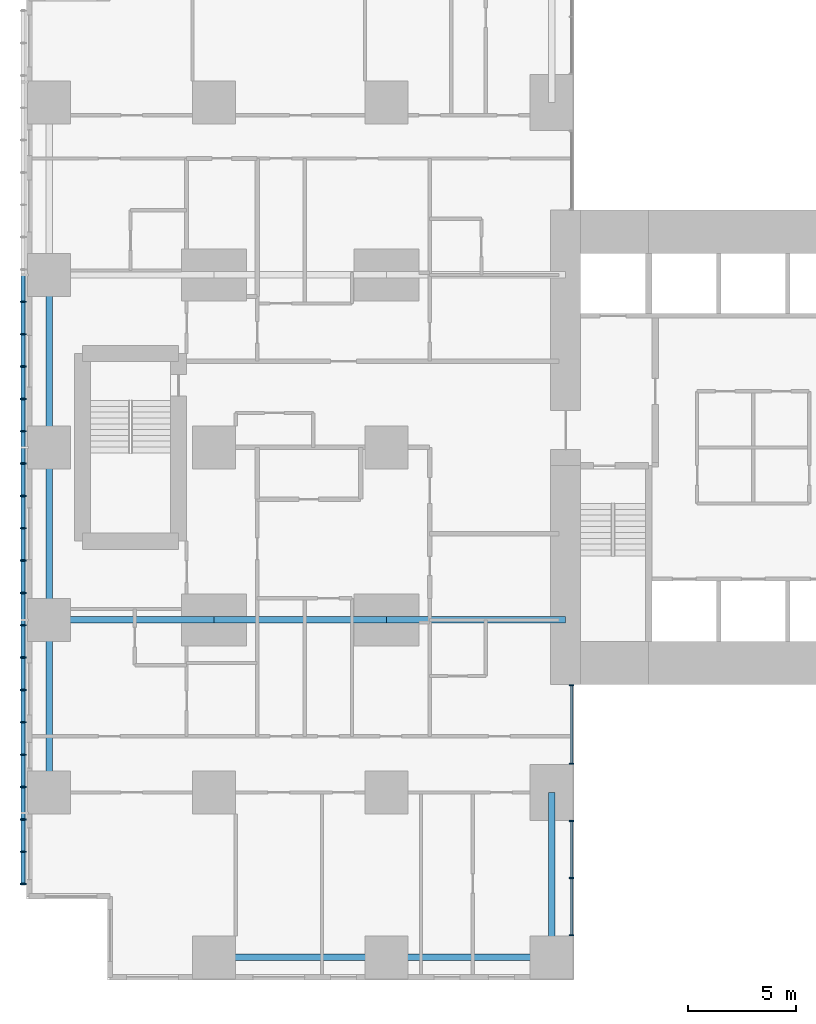
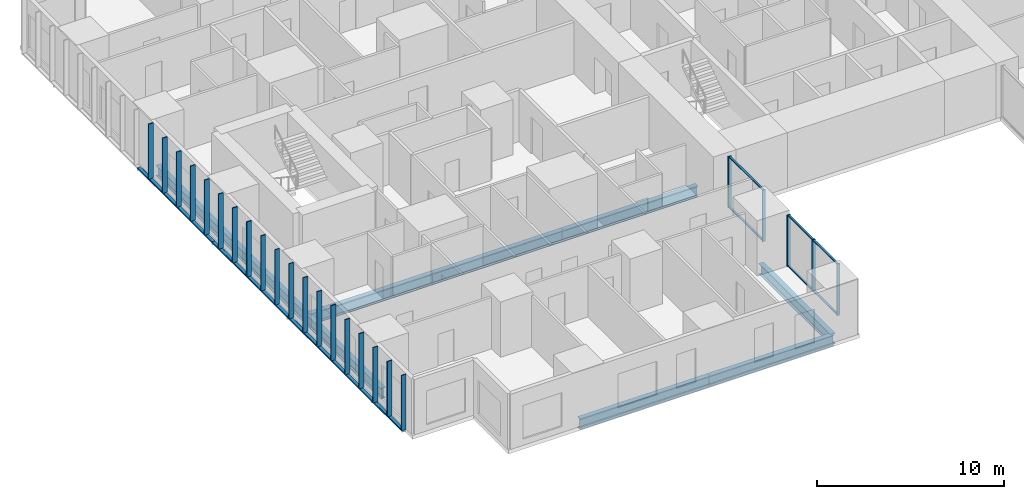
# One storey, part 2 of 20: 33 members, 9 beams, 2 elements without a shape of their own.
"""IFC4 building model written with IfcOpenShell, lengths in metres."""

import ifcopenshell
import ifcopenshell.guid

model = None  # the IFC model being written
_history = None  # IfcOwnerHistory: only IFC2X3 demands one
_inside = {}  # id of a spatial element -> (the spatial element, [elements in it])
_under = {}  # id of a project, library or spatial element -> (it, [spatial elements below it])
_declared = {}  # id of a project -> (the project, [libraries it declares])
_typed = {}  # id of a type object -> (the type object, [elements of that type])
_made_of = {}  # id of a material, layer set ... -> (it, [elements and type objects made of it])


def new_model(schema):
    """Start an empty IFC model of exactly this schema.

    Asked for "IFC4X3", IfcOpenShell would pick the latest addendum, in which some entities
    have other attributes; the version numbers below select the first issue.
    IFC2X3 requires an IfcOwnerHistory on every rooted entity: one is made here for all.
    """
    global model, _history
    if schema == "IFC4X3":
        model = ifcopenshell.file(schema_version=(4, 3, 0, 0))
    else:
        model = ifcopenshell.file(schema=schema)
    _inside.clear()
    _under.clear()
    _declared.clear()
    _typed.clear()
    _made_of.clear()
    _history = None
    if model.schema == "IFC2X3":
        org = make("IfcOrganization", Name="unknown")
        user = make(
            "IfcPersonAndOrganization",
            ThePerson=make("IfcPerson", FamilyName="unknown"),
            TheOrganization=org,
        )
        app = make(
            "IfcApplication",
            ApplicationDeveloper=org,
            Version="unknown",
            ApplicationFullName="unknown",
            ApplicationIdentifier="unknown",
        )
        _history = make(
            "IfcOwnerHistory",
            OwningUser=user,
            OwningApplication=app,
            ChangeAction="ADDED",
            CreationDate=0,
        )
    return model


def make(cls, **values):
    """One entity of the class cls with the attributes given. An attribute that is None is left unset."""
    return model.create_entity(
        cls, **{name: value for name, value in values.items() if value is not None}
    )


def rooted(cls, **values):
    """An entity with a GlobalId (a new one), such as an element, a storey or a relation."""
    return make(cls, GlobalId=ifcopenshell.guid.new(), OwnerHistory=_history, **values)


def si_unit(unit_type, name, prefix=None):
    """IfcSIUnit, for example si_unit("LENGTHUNIT", "METRE", prefix="MILLI")."""
    return make("IfcSIUnit", UnitType=unit_type, Prefix=prefix, Name=name)


def assignment(units):
    """IfcUnitAssignment: the units of a project."""
    return None if units is None else make("IfcUnitAssignment", Units=units)


def point(xyz):
    """IfcCartesianPoint."""
    return None if xyz is None else make("IfcCartesianPoint", Coordinates=xyz)


def direction(xyz):
    """IfcDirection."""
    return None if xyz is None else make("IfcDirection", DirectionRatios=xyz)


def frame(location, z_axis=None, x_axis=None):
    """IfcAxis2Placement3D, a coordinate frame: its origin and axes. An axis left out is left unset."""
    return make(
        "IfcAxis2Placement3D",
        Location=point(location),
        Axis=direction(z_axis),
        RefDirection=direction(x_axis),
    )


def frame_2d(location, x_axis=None):
    """IfcAxis2Placement2D, a coordinate frame in the plane: its origin and x axis."""
    return make(
        "IfcAxis2Placement2D", Location=point(location), RefDirection=direction(x_axis)
    )


def origin():
    """The frame at (0, 0, 0) with its axes left unset."""
    return frame((0.0, 0.0, 0.0))


def origin_2d():
    """The frame at (0, 0) in the plane with its x axis left unset."""
    return frame_2d((0.0, 0.0))


def place(relative_to, where):
    """IfcLocalPlacement: puts the frame where relative to a parent placement (None: the world)."""
    return make(
        "IfcLocalPlacement", PlacementRelTo=relative_to, RelativePlacement=where
    )


def context(
    kind, dimensions, precision=None, world=None, true_north=None, identifier=None
):
    """IfcGeometricRepresentationContext, for example the 3D "Model" context."""
    return make(
        "IfcGeometricRepresentationContext",
        ContextIdentifier=identifier,
        ContextType=kind,
        CoordinateSpaceDimension=dimensions,
        Precision=precision,
        WorldCoordinateSystem=world,
        TrueNorth=true_north,
    )


def subcontext(parent, identifier, kind, view, scale=None):
    """IfcGeometricRepresentationSubContext, for example "Body" below "Model"."""
    return make(
        "IfcGeometricRepresentationSubContext",
        ContextIdentifier=identifier,
        ContextType=kind,
        ParentContext=parent,
        TargetScale=scale,
        TargetView=view,
    )


def project(units=None, contexts=None):
    """IfcProject with its units and contexts."""
    return rooted(
        "IfcProject",
        Name="project",
        RepresentationContexts=contexts,
        UnitsInContext=assignment(units),
    )


def spatial(cls, under=None, at=None, **own):
    """A site, building, storey or space (cls), placed at a placement, below another one or the project."""
    s = rooted(cls, ObjectPlacement=at, **own)
    if under is not None:
        _under.setdefault(under.id(), (under, []))[1].append(s)
    return s


def profile(cls, at=None, kind="AREA", **sizes):
    """A parametric profile (cls). Its sizes go by their IFC names, for example OverallWidth=200.0."""
    return make(cls, ProfileType=kind, Position=at, **sizes)


def rectangle(**sizes):
    """IfcRectangleProfileDef."""
    return profile("IfcRectangleProfileDef", **sizes)


def hollow_rectangle(**sizes):
    """IfcRectangleHollowProfileDef."""
    return profile("IfcRectangleHollowProfileDef", **sizes)


def i_section(**sizes):
    """IfcIShapeProfileDef."""
    return profile("IfcIShapeProfileDef", **sizes)


def extrude(swept, where, along, depth):
    """IfcExtrudedAreaSolid: the profile swept, set in the frame where, extruded along a direction by depth."""
    return make(
        "IfcExtrudedAreaSolid",
        SweptArea=swept,
        Position=where,
        ExtrudedDirection=direction(along),
        Depth=depth,
    )


def shape(context_of_items, identifier, shape_type, items):
    """IfcShapeRepresentation: the items that make up one representation, for example the "Body"."""
    return make(
        "IfcShapeRepresentation",
        ContextOfItems=context_of_items,
        RepresentationIdentifier=identifier,
        RepresentationType=shape_type,
        Items=items,
    )


def material(Name=None, Category=None):
    """IfcMaterial."""
    return make("IfcMaterial", Name=Name, Category=Category)


def layer(
    of_material, thickness, ventilated=None, Name=None, Category=None, Priority=None
):
    """IfcMaterialLayer: one layer of a wall or slab, of a material (None: an air gap)."""
    return make(
        "IfcMaterialLayer",
        Material=of_material,
        LayerThickness=thickness,
        IsVentilated=ventilated,
        Name=Name,
        Category=Category,
        Priority=Priority,
    )


def layer_set(layers, Name=None):
    """IfcMaterialLayerSet."""
    return make("IfcMaterialLayerSet", MaterialLayers=layers, LayerSetName=Name)


def material_profile(
    of_material, cross_section, Name=None, Category=None, Priority=None
):
    """IfcMaterialProfile: a cross section and its material."""
    return make(
        "IfcMaterialProfile",
        Name=Name,
        Material=of_material,
        Profile=cross_section,
        Priority=Priority,
        Category=Category,
    )


def profile_set(profiles, Name=None, composite=None):
    """IfcMaterialProfileSet."""
    return make(
        "IfcMaterialProfileSet",
        Name=Name,
        MaterialProfiles=profiles,
        CompositeProfile=composite,
    )


def made_of(thing, what):
    """Note that an element or type object is made of a material, layer set ...; save() writes the relation."""
    if what is not None:
        _made_of.setdefault(what.id(), (what, []))[1].append(thing)
    return thing


def type_object(cls, material=None, **own):
    """A type object (cls), such as IfcWallType, which elements share."""
    return made_of(rooted(cls, **own), material)


def element(
    cls,
    number,
    at=None,
    inside=None,
    cuts=None,
    type_object=None,
    material=None,
    context=None,
    identifier="Body",
    shape_type=None,
    held_by="IfcProductDefinitionShape",
    body=None,
    shapes=None,
    **own,
):
    """One element of the class cls, such as IfcWall. Its Tag is "e" and its number.

    at: its placement. inside: the storey or other place that contains it. cuts: it is an
    opening in that element (IfcRelVoidsElement). A single representation is given by context,
    identifier, shape_type and body (its items); several are given by shapes. held_by: the class
    of the entity that holds the representations. save() writes the other relations.
    """
    e = rooted(cls, Tag="e%d" % number, ObjectPlacement=at, **own)
    if body is not None:
        shapes = [shape(context, identifier, shape_type, body)]
    if shapes is not None:
        e.Representation = make(held_by, Representations=shapes)
    if inside is not None:
        _inside.setdefault(inside.id(), (inside, []))[1].append(e)
    if cuts is not None:
        rooted(
            "IfcRelVoidsElement", RelatingBuildingElement=cuts, RelatedOpeningElement=e
        )
    if type_object is not None:
        _typed.setdefault(type_object.id(), (type_object, []))[1].append(e)
    return made_of(e, material)


def aggregate(whole, parts):
    """IfcRelAggregates: a whole, such as a stair, and the parts it consists of."""
    return rooted("IfcRelAggregates", RelatingObject=whole, RelatedObjects=parts)


def save(model, path):
    """Write the relations noted so far, then the file.

    IfcRelAggregates (storeys below a building ...), IfcRelContainedInSpatialStructure (elements
    in a storey), IfcRelDefinesByType, IfcRelAssociatesMaterial and IfcRelDeclares: one each for
    every whole, place, type object, material and project.
    """
    for whole, parts in _under.values():
        aggregate(whole, parts)
    for where, things in _inside.values():
        rooted(
            "IfcRelContainedInSpatialStructure",
            RelatedElements=things,
            RelatingStructure=where,
        )
    for kind, things in _typed.values():
        rooted("IfcRelDefinesByType", RelatedObjects=things, RelatingType=kind)
    for what, things in _made_of.values():
        rooted("IfcRelAssociatesMaterial", RelatedObjects=things, RelatingMaterial=what)
    for by, libraries in _declared.values():
        rooted("IfcRelDeclares", RelatingContext=by, RelatedDefinitions=libraries)
    model.write(path)


model = new_model("IFC4")

# Units and contexts
model_context = context("Model", 3, precision=1e-05, world=origin(), true_north=direction((0.0, 1.0)))
body_context = subcontext(model_context, "Body", "Model", "MODEL_VIEW")
ifc_project = project(units=[si_unit("LENGTHUNIT", "METRE"), si_unit("AREAUNIT", "SQUARE_METRE"), si_unit("VOLUMEUNIT", "CUBIC_METRE"), si_unit("PLANEANGLEUNIT", "RADIAN"), si_unit("MASSUNIT", "GRAM", prefix="KILO")], contexts=[model_context])

# Site, building, storey
site_placement = place(None, origin())
site = spatial("IfcSite", under=ifc_project, at=site_placement, CompositionType="ELEMENT")
building_placement = place(site_placement, origin())
building = spatial("IfcBuilding", under=site, at=building_placement, Name="Cleftline Residences", CompositionType="ELEMENT")
storey_placement = place(building_placement, frame((0.0, 0.0, 139.39990234375)))
storey = spatial("IfcBuildingStorey", under=building, at=storey_placement, Name="L36", CompositionType="ELEMENT", Elevation=139.39990234375)

# Members
ifc_material_1 = material(Name="Steel S355, hot-dip galvanised", Category="steel")
ifc_material_profile_1 = material_profile(ifc_material_1, hollow_rectangle(XDim=0.10009765625, YDim=0.199951171875, WallThickness=0.008056640625, InnerFilletRadius=0.008056640625, OuterFilletRadius=0.011962890625, at=origin_2d()))
ifc_profile_set_1 = profile_set([ifc_material_profile_1], Name="Steel S355, hot-dip galvanised")
member_type_1 = type_object("IfcMemberType", Name="BAGUETTE CARRIER RHS 200X100X8", PredefinedType="USERDEFINED", material=ifc_profile_set_1)
for number, where, z_axis, x_axis, name in (
    (1, (-0.85009765625, 32.0, -0.0498046875), (0.0, -1.0, 0.0), (0.0, 0.0, 1.0), "Baguette carrier"),
    (2, (-0.85009765625, 24.0, -0.0498046875), (0.0, -1.0, 0.0), (0.0, 0.0, 1.0), "Baguette carrier"),
):
    element("IfcMember", number, at=place(storey_placement, frame(where, z_axis=z_axis, x_axis=x_axis)), inside=storey, type_object=member_type_1, Name=name, ObjectType="BAGUETTE CARRIER", PredefinedType="USERDEFINED", context=body_context, shape_type="SweptSolid", body=[
        extrude(hollow_rectangle(XDim=0.10009765625, YDim=0.199951171875, WallThickness=0.008056640625, InnerFilletRadius=0.008056640625, OuterFilletRadius=0.011962890625, at=origin_2d()), origin(), (0.0, 0.0, 1.0), 8.0),
    ])
member_1_placement = place(storey_placement, frame((-0.85009765625, 16.0, -0.0498046875), z_axis=(0.0, -1.0, 0.0), x_axis=(0.0, 0.0, 1.0)))
element("IfcMember", 3, at=member_1_placement, inside=storey, type_object=member_type_1, Name="Baguette carrier", ObjectType="BAGUETTE CARRIER", PredefinedType="USERDEFINED", context=body_context, shape_type="SweptSolid", body=[
    extrude(hollow_rectangle(XDim=0.10009765625, YDim=0.199951171875, WallThickness=0.008056640625, InnerFilletRadius=0.008056640625, OuterFilletRadius=0.011962890625, at=origin_2d()), origin(), (0.0, 0.0, 1.0), 12.300048828125),
])

# Beams
ifc_material_2 = material(Name="Steel S355", Category="steel")
ifc_material_profile_2 = material_profile(ifc_material_2, i_section(OverallWidth=0.300048828125, OverallDepth=0.699951171875, WebThickness=0.01708984375, FlangeThickness=0.031982421875, FilletRadius=0.027099609375, at=origin_2d()))
ifc_profile_set_2 = profile_set([ifc_material_profile_2], Name="Steel S355")
beam_type_1 = type_object("IfcBeamType", Name="BEAM HEB 700", PredefinedType="BEAM", material=ifc_profile_set_2)
for number, where, z_axis, x_axis, name in (
    (4, (0.35009765625, 8.0, -0.599853515625), (0.0, 1.0, 0.0), (-1.0, 0.0, 0.0), "Edge beam"),
    (5, (0.35009765625, 16.0, -0.599853515625), (0.0, 1.0, 0.0), (-1.0, 0.0, 0.0), "Edge beam"),
    (6, (0.35009765625, 24.0, -0.599853515625), (0.0, 1.0, 0.0), (-1.0, 0.0, 0.0), "Edge beam"),
    (7, (8.0, 0.35009765625, -0.599853515625), (1.0, 0.0, 0.0), (0.0, 1.0, 0.0), "Edge beam"),
):
    element("IfcBeam", number, at=place(storey_placement, frame(where, z_axis=z_axis, x_axis=x_axis)), inside=storey, type_object=beam_type_1, Name=name, PredefinedType="BEAM", context=body_context, shape_type="SweptSolid", body=[
        extrude(i_section(OverallWidth=0.300048828125, OverallDepth=0.699951171875, WebThickness=0.01708984375, FlangeThickness=0.031982421875, FilletRadius=0.027099609375, at=origin_2d()), origin(), (0.0, 0.0, 1.0), 8.0),
    ])
for number, where, z_axis, x_axis, name in (
    (8, (16.0, 0.35009765625, -0.599853515625), (1.0, 0.0, 0.0), (0.0, 1.0, 0.0), "Edge beam"),
    (9, (23.64990234375, 0.35009765625, -0.599853515625), (0.0, 1.0, 0.0), (-1.0, 0.0, 0.0), "Edge beam"),
):
    element("IfcBeam", number, at=place(storey_placement, frame(where, z_axis=z_axis, x_axis=x_axis)), inside=storey, type_object=beam_type_1, Name=name, PredefinedType="BEAM", context=body_context, shape_type="SweptSolid", body=[
        extrude(i_section(OverallWidth=0.300048828125, OverallDepth=0.699951171875, WebThickness=0.01708984375, FlangeThickness=0.031982421875, FilletRadius=0.027099609375, at=origin_2d()), origin(), (0.0, 0.0, 1.0), 7.64990234375),
    ])
ifc_material_3 = material(Name="Steel S355", Category="steel")
ifc_material_profile_3 = material_profile(ifc_material_3, i_section(OverallWidth=0.303955078125, OverallDepth=0.716064453125, WebThickness=0.02099609375, FlangeThickness=0.0400390625, FilletRadius=0.027099609375, at=origin_2d()))
ifc_profile_set_3 = profile_set([ifc_material_profile_3], Name="Steel S355")
beam_type_2 = type_object("IfcBeamType", Name="BEAM HEM 700", PredefinedType="BEAM", material=ifc_profile_set_3)
beam_1_placement = place(storey_placement, frame((0.35009765625, 16.0, -0.60791015625), z_axis=(1.0, 0.0, 0.0), x_axis=(0.0, 1.0, 0.0)))
element("IfcBeam", 10, at=beam_1_placement, inside=storey, type_object=beam_type_2, Name="Band beam", PredefinedType="BEAM", context=body_context, shape_type="SweptSolid", body=[
    extrude(i_section(OverallWidth=0.303955078125, OverallDepth=0.716064453125, WebThickness=0.02099609375, FlangeThickness=0.0400390625, FilletRadius=0.027099609375, at=origin_2d()), origin(), (0.0, 0.0, 1.0), 7.64990234375),
])
beam_2_placement = place(storey_placement, frame((8.0, 16.0, -0.60791015625), z_axis=(1.0, 0.0, 0.0), x_axis=(0.0, 1.0, 0.0)))
element("IfcBeam", 11, at=beam_2_placement, inside=storey, type_object=beam_type_2, Name="Band beam", PredefinedType="BEAM", context=body_context, shape_type="SweptSolid", body=[
    extrude(i_section(OverallWidth=0.303955078125, OverallDepth=0.716064453125, WebThickness=0.02099609375, FlangeThickness=0.0400390625, FilletRadius=0.027099609375, at=origin_2d()), origin(), (0.0, 0.0, 1.0), 8.0),
])
beam_3_placement = place(storey_placement, frame((16.0, 16.0, -0.60791015625), z_axis=(1.0, 0.0, 0.0), x_axis=(0.0, 1.0, 0.0)))
element("IfcBeam", 12, at=beam_3_placement, inside=storey, type_object=beam_type_2, Name="Band beam", PredefinedType="BEAM", context=body_context, shape_type="SweptSolid", body=[
    extrude(i_section(OverallWidth=0.303955078125, OverallDepth=0.716064453125, WebThickness=0.02099609375, FlangeThickness=0.0400390625, FilletRadius=0.027099609375, at=origin_2d()), origin(), (0.0, 0.0, 1.0), 8.300048828125),
])

# Curtain wall, members
ifc_material_4 = material(Name="Aluminium framed curtain wall", Category="aluminium")
ifc_layer = layer(ifc_material_4, 0.199951171875)
ifc_layer_set = layer_set([ifc_layer], Name="CW1 CLEFT GLAZING")
curtain_wall_type = type_object("IfcCurtainWallType", Name="CW1 CLEFT GLAZING", PredefinedType="NOTDEFINED", material=ifc_layer_set)
curtain_wall_1_placement = place(storey_placement, origin())
curtain_wall_1 = element("IfcCurtainWall", 13, at=curtain_wall_1_placement, inside=storey, type_object=curtain_wall_type, Name="Curtain wall CW1", PredefinedType="NOTDEFINED")
ifc_material_5 = material(Name="Aluminium mullion", Category="aluminium")
ifc_material_profile_4 = material_profile(ifc_material_5, rectangle(XDim=0.199951171875, YDim=0.06005859375, at=origin_2d()))
ifc_profile_set_4 = profile_set([ifc_material_profile_4], Name="Aluminium mullion")
member_type_2 = type_object("IfcMemberType", Name="CW1 MULLION", PredefinedType="MULLION", material=ifc_profile_set_4)
member_2_placement = place(storey_placement, frame((24.574951171875, 1.3798828125, 0.0), z_axis=(0.0, 0.0, 1.0), x_axis=(-1.0, 0.0, 0.0)))
member_2 = element("IfcMember", 14, at=member_2_placement, type_object=member_type_2, Name="CW1 mullion 1", PredefinedType="MULLION", context=body_context, shape_type="SweptSolid", body=[
    extrude(rectangle(XDim=0.199951171875, YDim=0.06005859375, at=origin_2d()), origin(), (0.0, 0.0, 1.0), 3.35009765625),
])
member_3_placement = place(storey_placement, frame((24.574951171875, 4.02490234375, 0.0), z_axis=(0.0, 0.0, 1.0), x_axis=(-1.0, 0.0, 0.0)))
member_3 = element("IfcMember", 15, at=member_3_placement, type_object=member_type_2, Name="CW1 mullion 2", PredefinedType="MULLION", context=body_context, shape_type="SweptSolid", body=[
    extrude(rectangle(XDim=0.199951171875, YDim=0.06005859375, at=origin_2d()), origin(), (0.0, 0.0, 1.0), 3.35009765625),
])
member_4_placement = place(storey_placement, frame((24.574951171875, 6.669921875, 0.0), z_axis=(0.0, 0.0, 1.0), x_axis=(-1.0, 0.0, 0.0)))
member_4 = element("IfcMember", 16, at=member_4_placement, type_object=member_type_2, Name="CW1 mullion 3", PredefinedType="MULLION", context=body_context, shape_type="SweptSolid", body=[
    extrude(rectangle(XDim=0.199951171875, YDim=0.06005859375, at=origin_2d()), origin(), (0.0, 0.0, 1.0), 3.35009765625),
])

curtain_wall_2_placement = place(storey_placement, origin())
curtain_wall_2 = element("IfcCurtainWall", 17, at=curtain_wall_2_placement, inside=storey, type_object=curtain_wall_type, Name="Curtain wall CW1", PredefinedType="NOTDEFINED")
member_5_placement = place(storey_placement, frame((24.574951171875, 9.330078125, 0.0), z_axis=(0.0, 0.0, 1.0), x_axis=(-1.0, 0.0, 0.0)))
member_5 = element("IfcMember", 18, at=member_5_placement, type_object=member_type_2, Name="CW1 mullion 1", PredefinedType="MULLION", context=body_context, shape_type="SweptSolid", body=[
    extrude(rectangle(XDim=0.199951171875, YDim=0.06005859375, at=origin_2d()), origin(), (0.0, 0.0, 1.0), 3.35009765625),
])
member_6_placement = place(storey_placement, frame((24.574951171875, 12.969970703125, 0.0), z_axis=(0.0, 0.0, 1.0), x_axis=(-1.0, 0.0, 0.0)))
member_6 = element("IfcMember", 19, at=member_6_placement, type_object=member_type_2, Name="CW1 mullion 2", PredefinedType="MULLION", context=body_context, shape_type="SweptSolid", body=[
    extrude(rectangle(XDim=0.199951171875, YDim=0.06005859375, at=origin_2d()), origin(), (0.0, 0.0, 1.0), 3.35009765625),
])

# Member
ifc_material_6 = material(Name="Aluminium transom", Category="aluminium")
ifc_material_profile_5 = material_profile(ifc_material_6, rectangle(XDim=0.1201171875, YDim=0.06005859375, at=origin_2d()))
ifc_profile_set_5 = profile_set([ifc_material_profile_5], Name="Aluminium transom")
member_type_3 = type_object("IfcMemberType", Name="CW1 TRANSOM", PredefinedType="USERDEFINED", material=ifc_profile_set_5)
member_7_placement = place(storey_placement, frame((24.574951171875, 1.409912109375, 0.030029296875), z_axis=(0.0, 1.0, 0.0), x_axis=(-1.0, 0.0, 0.0)))
member_7 = element("IfcMember", 20, at=member_7_placement, type_object=member_type_3, Name="CW1 transom 1.1", ObjectType="TRANSOM", PredefinedType="USERDEFINED", context=body_context, shape_type="SweptSolid", body=[
    extrude(rectangle(XDim=0.1201171875, YDim=0.06005859375, at=origin_2d()), origin(), (0.0, 0.0, 1.0), 2.585205078125),
])

member_8_placement = place(storey_placement, frame((24.574951171875, 1.409912109375, 3.320068359375), z_axis=(0.0, 1.0, 0.0), x_axis=(-1.0, 0.0, 0.0)))
member_8 = element("IfcMember", 21, at=member_8_placement, type_object=member_type_3, Name="CW1 transom 1.2", ObjectType="TRANSOM", PredefinedType="USERDEFINED", context=body_context, shape_type="SweptSolid", body=[
    extrude(rectangle(XDim=0.1201171875, YDim=0.06005859375, at=origin_2d()), origin(), (0.0, 0.0, 1.0), 2.585205078125),
])

member_9_placement = place(storey_placement, frame((24.574951171875, 4.054931640625, 0.030029296875), z_axis=(0.0, 1.0, 0.0), x_axis=(-1.0, 0.0, 0.0)))
member_9 = element("IfcMember", 22, at=member_9_placement, type_object=member_type_3, Name="CW1 transom 2.1", ObjectType="TRANSOM", PredefinedType="USERDEFINED", context=body_context, shape_type="SweptSolid", body=[
    extrude(rectangle(XDim=0.1201171875, YDim=0.06005859375, at=origin_2d()), origin(), (0.0, 0.0, 1.0), 2.5849609375),
])

member_10_placement = place(storey_placement, frame((24.574951171875, 4.054931640625, 3.320068359375), z_axis=(0.0, 1.0, 0.0), x_axis=(-1.0, 0.0, 0.0)))
member_10 = element("IfcMember", 23, at=member_10_placement, type_object=member_type_3, Name="CW1 transom 2.2", ObjectType="TRANSOM", PredefinedType="USERDEFINED", context=body_context, shape_type="SweptSolid", body=[
    extrude(rectangle(XDim=0.1201171875, YDim=0.06005859375, at=origin_2d()), origin(), (0.0, 0.0, 1.0), 2.5849609375),
])

aggregate(curtain_wall_1, [member_2, member_3, member_4, member_7, member_8, member_9, member_10])

member_11_placement = place(storey_placement, frame((24.574951171875, 9.360107421875, 0.030029296875), z_axis=(0.0, 1.0, 0.0), x_axis=(-1.0, 0.0, 0.0)))
member_11 = element("IfcMember", 24, at=member_11_placement, type_object=member_type_3, Name="CW1 transom 1.1", ObjectType="TRANSOM", PredefinedType="USERDEFINED", context=body_context, shape_type="SweptSolid", body=[
    extrude(rectangle(XDim=0.1201171875, YDim=0.06005859375, at=origin_2d()), origin(), (0.0, 0.0, 1.0), 3.579833984375),
])

member_12_placement = place(storey_placement, frame((24.574951171875, 9.360107421875, 3.320068359375), z_axis=(0.0, 1.0, 0.0), x_axis=(-1.0, 0.0, 0.0)))
member_12 = element("IfcMember", 25, at=member_12_placement, type_object=member_type_3, Name="CW1 transom 1.2", ObjectType="TRANSOM", PredefinedType="USERDEFINED", context=body_context, shape_type="SweptSolid", body=[
    extrude(rectangle(XDim=0.1201171875, YDim=0.06005859375, at=origin_2d()), origin(), (0.0, 0.0, 1.0), 3.579833984375),
])

aggregate(curtain_wall_2, [member_5, member_6, member_11, member_12])

# Members
ifc_material_7 = material(Name="Extruded terracotta", Category="masonry")
ifc_material_profile_6 = material_profile(ifc_material_7, rectangle(XDim=0.06005859375, YDim=0.300048828125, at=origin_2d()))
ifc_profile_set_6 = profile_set([ifc_material_profile_6], Name="Extruded terracotta")
member_type_4 = type_object("IfcMemberType", Name="TERRACOTTA BAGUETTE 60X300", PredefinedType="USERDEFINED", material=ifc_profile_set_6)
for number, where, z_axis, x_axis, name in (
    (26, (-0.85009765625, 30.75, 0.0), (0.0, 0.0, 1.0), (0.0, 1.0, 0.0), "Terracotta baguette"),
    (27, (-0.85009765625, 29.25, 0.0), (0.0, 0.0, 1.0), (0.0, 1.0, 0.0), "Terracotta baguette"),
    (28, (-0.85009765625, 27.75, 0.0), (0.0, 0.0, 1.0), (0.0, 1.0, 0.0), "Terracotta baguette"),
    (29, (-0.85009765625, 26.25, 0.0), (0.0, 0.0, 1.0), (0.0, 1.0, 0.0), "Terracotta baguette"),
    (30, (-0.85009765625, 24.75, 0.0), (0.0, 0.0, 1.0), (0.0, 1.0, 0.0), "Terracotta baguette"),
    (31, (-0.85009765625, 23.25, 0.0), (0.0, 0.0, 1.0), (0.0, 1.0, 0.0), "Terracotta baguette"),
    (32, (-0.85009765625, 21.75, 0.0), (0.0, 0.0, 1.0), (0.0, 1.0, 0.0), "Terracotta baguette"),
    (33, (-0.85009765625, 20.25, 0.0), (0.0, 0.0, 1.0), (0.0, 1.0, 0.0), "Terracotta baguette"),
    (34, (-0.85009765625, 18.75, 0.0), (0.0, 0.0, 1.0), (0.0, 1.0, 0.0), "Terracotta baguette"),
    (35, (-0.85009765625, 17.25, 0.0), (0.0, 0.0, 1.0), (0.0, 1.0, 0.0), "Terracotta baguette"),
    (36, (-0.85009765625, 15.75, 0.0), (0.0, 0.0, 1.0), (0.0, 1.0, 0.0), "Terracotta baguette"),
    (37, (-0.85009765625, 14.25, 0.0), (0.0, 0.0, 1.0), (0.0, 1.0, 0.0), "Terracotta baguette"),
    (38, (-0.85009765625, 12.75, 0.0), (0.0, 0.0, 1.0), (0.0, 1.0, 0.0), "Terracotta baguette"),
    (39, (-0.85009765625, 11.25, 0.0), (0.0, 0.0, 1.0), (0.0, 1.0, 0.0), "Terracotta baguette"),
    (40, (-0.85009765625, 9.75, 0.0), (0.0, 0.0, 1.0), (0.0, 1.0, 0.0), "Terracotta baguette"),
    (41, (-0.85009765625, 8.25, 0.0), (0.0, 0.0, 1.0), (0.0, 1.0, 0.0), "Terracotta baguette"),
    (42, (-0.85009765625, 6.75, 0.0), (0.0, 0.0, 1.0), (0.0, 1.0, 0.0), "Terracotta baguette"),
    (43, (-0.85009765625, 5.25, 0.0), (0.0, 0.0, 1.0), (0.0, 1.0, 0.0), "Terracotta baguette"),
    (44, (-0.85009765625, 3.75, 0.0), (0.0, 0.0, 1.0), (0.0, 1.0, 0.0), "Terracotta baguette"),
):
    element("IfcMember", number, at=place(storey_placement, frame(where, z_axis=z_axis, x_axis=x_axis)), inside=storey, type_object=member_type_4, Name=name, ObjectType="BAGUETTE", PredefinedType="USERDEFINED", context=body_context, shape_type="SweptSolid", body=[
        extrude(rectangle(XDim=0.06005859375, YDim=0.300048828125, at=origin_2d()), origin(), (0.0, 0.0, 1.0), 3.60009765625),
    ])

save(model, "model.ifc")
